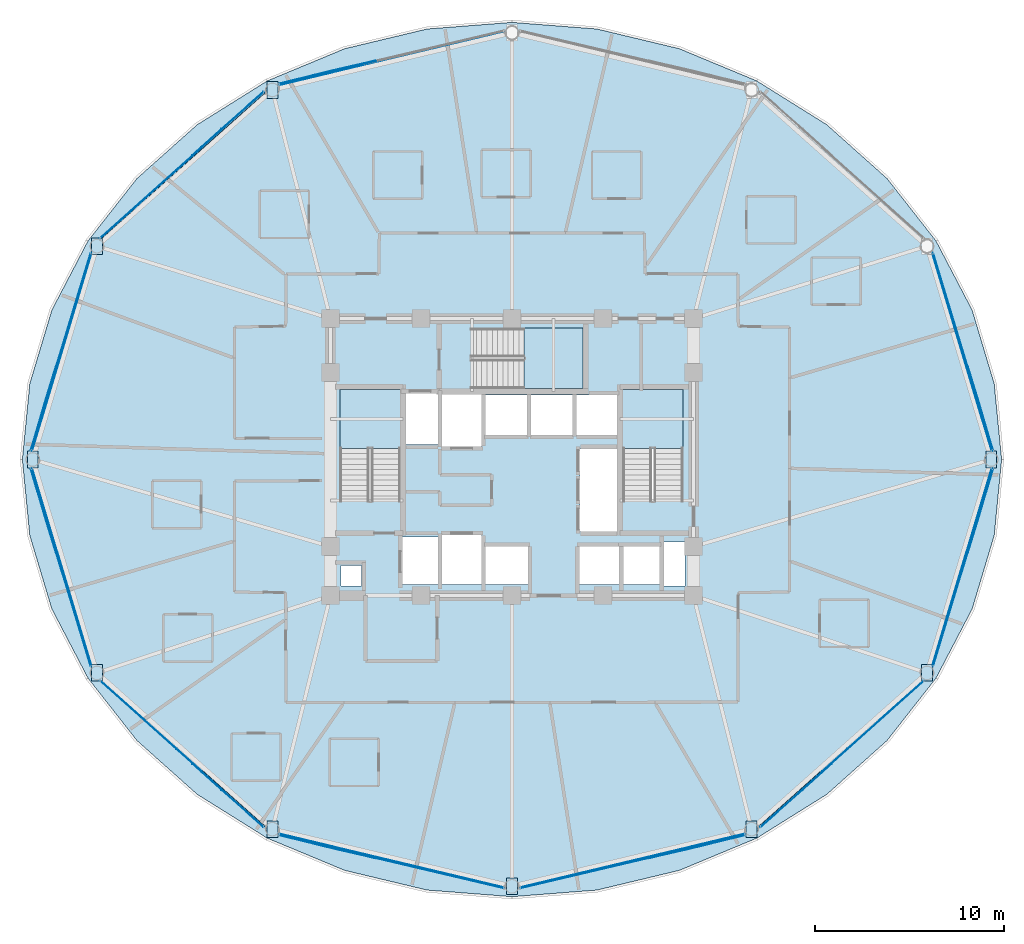
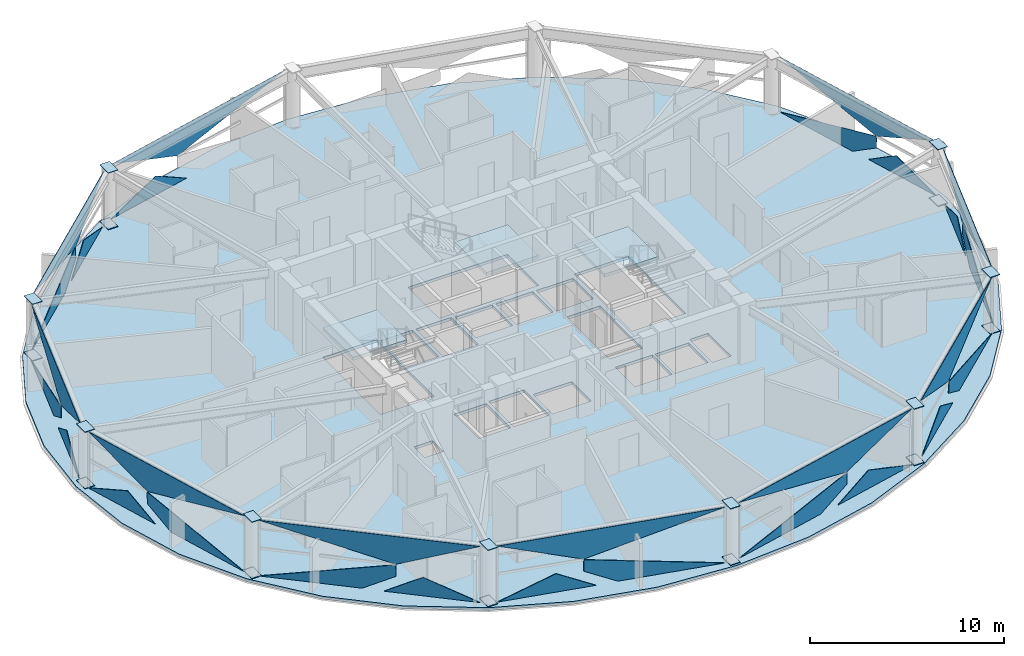
# One storey, part 22 of 31: 47 plates, 4 slabs, 13 elements without a shape of their own.
"""IFC4 building model written with IfcOpenShell, lengths in metres."""

import ifcopenshell
import ifcopenshell.guid

model = None  # the IFC model being written
_history = None  # IfcOwnerHistory: only IFC2X3 demands one
_inside = {}  # id of a spatial element -> (the spatial element, [elements in it])
_under = {}  # id of a project, library or spatial element -> (it, [spatial elements below it])
_declared = {}  # id of a project -> (the project, [libraries it declares])
_typed = {}  # id of a type object -> (the type object, [elements of that type])
_made_of = {}  # id of a material, layer set ... -> (it, [elements and type objects made of it])


def new_model(schema):
    """Start an empty IFC model of exactly this schema.

    Asked for "IFC4X3", IfcOpenShell would pick the latest addendum, in which some entities
    have other attributes; the version numbers below select the first issue.
    IFC2X3 requires an IfcOwnerHistory on every rooted entity: one is made here for all.
    """
    global model, _history
    if schema == "IFC4X3":
        model = ifcopenshell.file(schema_version=(4, 3, 0, 0))
    else:
        model = ifcopenshell.file(schema=schema)
    _inside.clear()
    _under.clear()
    _declared.clear()
    _typed.clear()
    _made_of.clear()
    _history = None
    if model.schema == "IFC2X3":
        org = make("IfcOrganization", Name="unknown")
        user = make(
            "IfcPersonAndOrganization",
            ThePerson=make("IfcPerson", FamilyName="unknown"),
            TheOrganization=org,
        )
        app = make(
            "IfcApplication",
            ApplicationDeveloper=org,
            Version="unknown",
            ApplicationFullName="unknown",
            ApplicationIdentifier="unknown",
        )
        _history = make(
            "IfcOwnerHistory",
            OwningUser=user,
            OwningApplication=app,
            ChangeAction="ADDED",
            CreationDate=0,
        )
    return model


def make(cls, **values):
    """One entity of the class cls with the attributes given. An attribute that is None is left unset."""
    return model.create_entity(
        cls, **{name: value for name, value in values.items() if value is not None}
    )


def rooted(cls, **values):
    """An entity with a GlobalId (a new one), such as an element, a storey or a relation."""
    return make(cls, GlobalId=ifcopenshell.guid.new(), OwnerHistory=_history, **values)


def si_unit(unit_type, name, prefix=None):
    """IfcSIUnit, for example si_unit("LENGTHUNIT", "METRE", prefix="MILLI")."""
    return make("IfcSIUnit", UnitType=unit_type, Prefix=prefix, Name=name)


def assignment(units):
    """IfcUnitAssignment: the units of a project."""
    return None if units is None else make("IfcUnitAssignment", Units=units)


def point(xyz):
    """IfcCartesianPoint."""
    return None if xyz is None else make("IfcCartesianPoint", Coordinates=xyz)


def direction(xyz):
    """IfcDirection."""
    return None if xyz is None else make("IfcDirection", DirectionRatios=xyz)


def frame(location, z_axis=None, x_axis=None):
    """IfcAxis2Placement3D, a coordinate frame: its origin and axes. An axis left out is left unset."""
    return make(
        "IfcAxis2Placement3D",
        Location=point(location),
        Axis=direction(z_axis),
        RefDirection=direction(x_axis),
    )


def origin():
    """The frame at (0, 0, 0) with its axes left unset."""
    return frame((0.0, 0.0, 0.0))


def place(relative_to, where):
    """IfcLocalPlacement: puts the frame where relative to a parent placement (None: the world)."""
    return make(
        "IfcLocalPlacement", PlacementRelTo=relative_to, RelativePlacement=where
    )


def context(
    kind, dimensions, precision=None, world=None, true_north=None, identifier=None
):
    """IfcGeometricRepresentationContext, for example the 3D "Model" context."""
    return make(
        "IfcGeometricRepresentationContext",
        ContextIdentifier=identifier,
        ContextType=kind,
        CoordinateSpaceDimension=dimensions,
        Precision=precision,
        WorldCoordinateSystem=world,
        TrueNorth=true_north,
    )


def subcontext(parent, identifier, kind, view, scale=None):
    """IfcGeometricRepresentationSubContext, for example "Body" below "Model"."""
    return make(
        "IfcGeometricRepresentationSubContext",
        ContextIdentifier=identifier,
        ContextType=kind,
        ParentContext=parent,
        TargetScale=scale,
        TargetView=view,
    )


def project(units=None, contexts=None):
    """IfcProject with its units and contexts."""
    return rooted(
        "IfcProject",
        Name="project",
        RepresentationContexts=contexts,
        UnitsInContext=assignment(units),
    )


def spatial(cls, under=None, at=None, **own):
    """A site, building, storey or space (cls), placed at a placement, below another one or the project."""
    s = rooted(cls, ObjectPlacement=at, **own)
    if under is not None:
        _under.setdefault(under.id(), (under, []))[1].append(s)
    return s


def polyline(points):
    """IfcPolyline through the points."""
    return make("IfcPolyline", Points=[point(p) for p in points])


def outline(outer, holes=None, kind="AREA"):
    """IfcArbitraryClosedProfileDef: a profile drawn as a closed curve; with holes, ...WithVoids."""
    if holes is None:
        return make("IfcArbitraryClosedProfileDef", ProfileType=kind, OuterCurve=outer)
    return make(
        "IfcArbitraryProfileDefWithVoids",
        ProfileType=kind,
        OuterCurve=outer,
        InnerCurves=holes,
    )


def extrude(swept, where, along, depth):
    """IfcExtrudedAreaSolid: the profile swept, set in the frame where, extruded along a direction by depth."""
    return make(
        "IfcExtrudedAreaSolid",
        SweptArea=swept,
        Position=where,
        ExtrudedDirection=direction(along),
        Depth=depth,
    )


def shape(context_of_items, identifier, shape_type, items):
    """IfcShapeRepresentation: the items that make up one representation, for example the "Body"."""
    return make(
        "IfcShapeRepresentation",
        ContextOfItems=context_of_items,
        RepresentationIdentifier=identifier,
        RepresentationType=shape_type,
        Items=items,
    )


def material(Name=None, Category=None):
    """IfcMaterial."""
    return make("IfcMaterial", Name=Name, Category=Category)


def layer(
    of_material, thickness, ventilated=None, Name=None, Category=None, Priority=None
):
    """IfcMaterialLayer: one layer of a wall or slab, of a material (None: an air gap)."""
    return make(
        "IfcMaterialLayer",
        Material=of_material,
        LayerThickness=thickness,
        IsVentilated=ventilated,
        Name=Name,
        Category=Category,
        Priority=Priority,
    )


def layer_set(layers, Name=None):
    """IfcMaterialLayerSet."""
    return make("IfcMaterialLayerSet", MaterialLayers=layers, LayerSetName=Name)


def made_of(thing, what):
    """Note that an element or type object is made of a material, layer set ...; save() writes the relation."""
    if what is not None:
        _made_of.setdefault(what.id(), (what, []))[1].append(thing)
    return thing


def type_object(cls, material=None, **own):
    """A type object (cls), such as IfcWallType, which elements share."""
    return made_of(rooted(cls, **own), material)


def element(
    cls,
    number,
    at=None,
    inside=None,
    cuts=None,
    type_object=None,
    material=None,
    context=None,
    identifier="Body",
    shape_type=None,
    held_by="IfcProductDefinitionShape",
    body=None,
    shapes=None,
    **own,
):
    """One element of the class cls, such as IfcWall. Its Tag is "e" and its number.

    at: its placement. inside: the storey or other place that contains it. cuts: it is an
    opening in that element (IfcRelVoidsElement). A single representation is given by context,
    identifier, shape_type and body (its items); several are given by shapes. held_by: the class
    of the entity that holds the representations. save() writes the other relations.
    """
    e = rooted(cls, Tag="e%d" % number, ObjectPlacement=at, **own)
    if body is not None:
        shapes = [shape(context, identifier, shape_type, body)]
    if shapes is not None:
        e.Representation = make(held_by, Representations=shapes)
    if inside is not None:
        _inside.setdefault(inside.id(), (inside, []))[1].append(e)
    if cuts is not None:
        rooted(
            "IfcRelVoidsElement", RelatingBuildingElement=cuts, RelatedOpeningElement=e
        )
    if type_object is not None:
        _typed.setdefault(type_object.id(), (type_object, []))[1].append(e)
    return made_of(e, material)


def aggregate(whole, parts):
    """IfcRelAggregates: a whole, such as a stair, and the parts it consists of."""
    return rooted("IfcRelAggregates", RelatingObject=whole, RelatedObjects=parts)


def save(model, path):
    """Write the relations noted so far, then the file.

    IfcRelAggregates (storeys below a building ...), IfcRelContainedInSpatialStructure (elements
    in a storey), IfcRelDefinesByType, IfcRelAssociatesMaterial and IfcRelDeclares: one each for
    every whole, place, type object, material and project.
    """
    for whole, parts in _under.values():
        aggregate(whole, parts)
    for where, things in _inside.values():
        rooted(
            "IfcRelContainedInSpatialStructure",
            RelatedElements=things,
            RelatingStructure=where,
        )
    for kind, things in _typed.values():
        rooted("IfcRelDefinesByType", RelatedObjects=things, RelatingType=kind)
    for what, things in _made_of.values():
        rooted("IfcRelAssociatesMaterial", RelatedObjects=things, RelatingMaterial=what)
    for by, libraries in _declared.values():
        rooted("IfcRelDeclares", RelatingContext=by, RelatedDefinitions=libraries)
    model.write(path)


model = new_model("IFC4")

# Units and contexts
model_context = context("Model", 3, precision=1e-05, world=origin(), true_north=direction((0.0, 1.0)))
body_context = subcontext(model_context, "Body", "Model", "MODEL_VIEW")
ifc_project = project(units=[si_unit("LENGTHUNIT", "METRE"), si_unit("AREAUNIT", "SQUARE_METRE"), si_unit("VOLUMEUNIT", "CUBIC_METRE"), si_unit("PLANEANGLEUNIT", "RADIAN"), si_unit("MASSUNIT", "GRAM", prefix="KILO")], contexts=[model_context])

# Site, building, storey
site_placement = place(None, origin())
site = spatial("IfcSite", under=ifc_project, at=site_placement, CompositionType="ELEMENT")
building_placement = place(site_placement, origin())
building = spatial("IfcBuilding", under=site, at=building_placement, Name="Vantalir Tower", CompositionType="ELEMENT")
storey_placement = place(building_placement, frame((0.0, 0.0, 115.949951171875)))
storey = spatial("IfcBuildingStorey", under=building, at=storey_placement, Name="L28", CompositionType="ELEMENT", Elevation=115.949951171875)

# Curtain wall, plates
ifc_material_1 = material(Name="Champagne-silver PVDF aluminium and double-silver Low-E glass", Category="aluminium")
ifc_layer_1 = layer(ifc_material_1, 0.199951171875)
ifc_layer_set_1 = layer_set([ifc_layer_1], Name="Champagne-silver PVDF aluminium and double-silver Low-E glass")
curtain_wall_type = type_object("IfcCurtainWallType", Name="CW-DIAMOND-Z2", PredefinedType="USERDEFINED", material=ifc_layer_set_1)
curtain_wall_1_placement = place(storey_placement, origin())
curtain_wall_1 = element("IfcCurtainWall", 1, at=curtain_wall_1_placement, inside=storey, type_object=curtain_wall_type, Name="L28 Quilted Pyramid-Diamond Curtain Wall S01", ObjectType="UNITISED CURTAIN WALL", PredefinedType="USERDEFINED")
ifc_material_2 = material(Name="Double-silver Low-E laminated glass IGU", Category="glass")
ifc_layer_2 = layer(ifc_material_2, 0.028076171875)
ifc_layer_set_2 = layer_set([ifc_layer_2], Name="Double-silver Low-E laminated glass IGU")
plate_type_1 = type_object("IfcPlateType", Name="CWP-IGU-28", PredefinedType="CURTAIN_PANEL", material=ifc_layer_set_2)
plate_1_placement = place(storey_placement, frame((55.218994140625, 31.025390625, 0.046630859375), z_axis=(-0.957589796019, -0.28780704186, 0.013743697314), x_axis=(-0.287834860016, 0.957680056725, -4.8074109e-05)))
plate_1 = element("IfcPlate", 2, at=plate_1_placement, type_object=plate_type_1, Name="CW-L28-S01 Pyramid Diamond Facet 1L", PredefinedType="CURTAIN_PANEL", context=body_context, shape_type="SweptSolid", body=[
    extrude(outline(polyline([(0.0, 0.0), (5.134333162365429, -5.502326025363935e-18), (-1.6650199856379875, -1.7266455377053769), (-1.6649798258321409, -0.9990350662970237), (0.0, 0.0)])), origin(), (0.0, 0.0, -1.0), 0.028076171875),
])
plate_2_placement = place(storey_placement, frame((56.9296875, 25.44482421875, 0.04638671875), z_axis=(-0.957584808562, -0.287827029276, 0.013672440526), x_axis=(-0.287854611241, 0.957674120002, -5.1623854e-05)))
plate_2 = element("IfcPlate", 3, at=plate_2_placement, type_object=plate_type_1, Name="CW-L28-S01 Pyramid Diamond Facet 1L Infill Light", PredefinedType="CURTAIN_PANEL", context=body_context, shape_type="SweptSolid", body=[
    extrude(outline(polyline([(0.0, 0.0), (4.729221182633598, 8.131516293641283e-19), (2.7989082762255024, -1.1584559003791695), (0.0, 0.0)])), origin(), (0.0, 0.0, -1.0), 0.028076171875),
])
plate_3_placement = place(storey_placement, frame((53.740966796875, 35.9423828125, 3.523681640625), z_axis=(0.957581456483, 0.287834835449, 0.013742696341), x_axis=(0.287862312613, -0.957671806248, -2.2252807e-05)))
plate_3 = element("IfcPlate", 4, at=plate_3_placement, type_object=plate_type_1, Name="CW-L28-S01 Pyramid Diamond Facet 2U", PredefinedType="CURTAIN_PANEL", context=body_context, shape_type="SweptSolid", body=[
    extrude(outline(polyline([(0.0, 0.0), (10.971228210911756, -1.1953328951652686e-17), (6.799309248841789, 1.7268184099679815), (0.0, 0.0)])), origin(), (0.0, 0.0, -1.0), 0.028076171875),
])
aggregate(curtain_wall_1, [plate_1, plate_2, plate_3])

curtain_wall_2_placement = place(storey_placement, origin())
curtain_wall_2 = element("IfcCurtainWall", 5, at=curtain_wall_2_placement, inside=storey, type_object=curtain_wall_type, Name="L28 Quilted Pyramid-Diamond Curtain Wall S04", ObjectType="UNITISED CURTAIN WALL", PredefinedType="USERDEFINED")
plate_4_placement = place(storey_placement, frame((24.31298828125, 46.072265625, 0.046142578125), z_axis=(0.232309962933, -0.972544053885, 0.013789284797), x_axis=(-0.972636528964, -0.2323320523, 0.0)))
plate_4 = element("IfcPlate", 6, at=plate_4_placement, type_object=plate_type_1, Name="CW-L28-S04 Pyramid Diamond Facet 1L Infill Light", PredefinedType="CURTAIN_PANEL", context=body_context, shape_type="SweptSolid", body=[
    extrude(outline(polyline([(0.0, 0.0), (5.287757814042398, 0.0), (2.1490608653627548, -1.1671031518248731), (0.0, 0.0)])), origin(), (0.0, 0.0, -1.0), 0.028076171875),
])
plate_5_placement = place(storey_placement, frame((19.177490234375, 44.812744140625, 3.5234375), z_axis=(-0.232299697518, 0.972547696452, 0.013705059649), x_axis=(0.972639108939, 0.232321250348, 1.9988062e-05)))
plate_5 = element("IfcPlate", 7, at=plate_5_placement, type_object=plate_type_1, Name="CW-L28-S04 Pyramid Diamond Facet 2U", PredefinedType="CURTAIN_PANEL", context=body_context, shape_type="SweptSolid", body=[
    extrude(outline(polyline([(0.0, 0.0), (12.214321677942559, -1.3552527156068805e-18), (4.644506860550384, 1.727305842677403), (0.0, 0.0)])), origin(), (0.0, 0.0, -1.0), 0.028076171875),
])
aggregate(curtain_wall_2, [plate_4, plate_5])

curtain_wall_3_placement = place(storey_placement, origin())
curtain_wall_3 = element("IfcCurtainWall", 8, at=curtain_wall_3_placement, inside=storey, type_object=curtain_wall_type, Name="L28 Quilted Pyramid-Diamond Curtain Wall S05", ObjectType="UNITISED CURTAIN WALL", PredefinedType="USERDEFINED")
plate_6_placement = place(storey_placement, frame((13.77685546875, 40.2880859375, 0.046630859375), z_axis=(0.665290143646, -0.746458857155, 0.013718576517), x_axis=(-0.746528694055, -0.66535321965, -4.5328392e-05)))
plate_6 = element("IfcPlate", 9, at=plate_6_placement, type_object=plate_type_1, Name="CW-L28-S05 Pyramid Diamond Facet 1L", PredefinedType="CURTAIN_PANEL", context=body_context, shape_type="SweptSolid", body=[
    extrude(outline(polyline([(0.0, 0.0), (5.421682594949286, 1.328147661294743e-17), (-1.768537932269547, -1.7268889847502915), (-1.768390497592363, -1.0039189500942471), (0.0, 0.0)])), origin(), (0.0, 0.0, -1.0), 0.028076171875),
])
plate_7_placement = place(storey_placement, frame((18.3740234375, 44.42822265625, 0.046142578125), z_axis=(0.665294675224, -0.746455386297, 0.013687636298), x_axis=(-0.74652532085, -0.665357005923, 0.0)))
plate_7 = element("IfcPlate", 10, at=plate_7_placement, type_object=plate_type_1, Name="CW-L28-S05 Pyramid Diamond Facet 1L Infill Light", PredefinedType="CURTAIN_PANEL", context=body_context, shape_type="SweptSolid", body=[
    extrude(outline(polyline([(0.0, 0.0), (5.032102317172002, 0.0), (2.980130113894724, -1.1649040501815868), (0.0, 0.0)])), origin(), (0.0, 0.0, -1.0), 0.028076171875),
])
plate_8_placement = place(storey_placement, frame((9.7294921875, 36.6806640625, 3.523681640625), z_axis=(-0.66529752374, 0.746451806469, 0.013744290602), x_axis=(0.746522128378, 0.665360587501, -2.1031755e-05)))
plate_8 = element("IfcPlate", 11, at=plate_8_placement, type_object=plate_type_1, Name="CW-L28-S05 Pyramid Diamond Facet 2U", PredefinedType="CURTAIN_PANEL", context=body_context, shape_type="SweptSolid", body=[
    extrude(outline(polyline([(0.0, 0.0), (11.60819104345454, -4.472333961502706e-18), (7.190178806097466, 1.7270626931022792), (0.0, 0.0)])), origin(), (0.0, 0.0, -1.0), 0.028076171875),
])
aggregate(curtain_wall_3, [plate_6, plate_7, plate_8])

curtain_wall_4_placement = place(storey_placement, origin())
curtain_wall_4 = element("IfcCurtainWall", 12, at=curtain_wall_4_placement, inside=storey, type_object=curtain_wall_type, Name="L28 Quilted Pyramid-Diamond Curtain Wall S06", ObjectType="UNITISED CURTAIN WALL", PredefinedType="USERDEFINED")
plate_9_placement = place(storey_placement, frame((9.259033203125, 35.9423828125, 0.04638671875), z_axis=(0.957589796019, -0.28780704186, 0.013743697314), x_axis=(-0.287834860016, -0.957680056725, 4.8074109e-05)))
plate_9 = element("IfcPlate", 13, at=plate_9_placement, type_object=plate_type_1, Name="CW-L28-S06 Pyramid Diamond Facet 1L", PredefinedType="CURTAIN_PANEL", context=body_context, shape_type="SweptSolid", body=[
    extrude(outline(polyline([(0.0, 0.0), (5.134333162365429, 5.502326025363935e-18), (6.7993129881975705, -0.9990350662970238), (6.799353148003417, -1.7266455377053767), (0.0, 0.0)])), origin(), (0.0, 0.0, -1.0), 0.028076171875),
])
plate_10_placement = place(storey_placement, frame((7.431640625, 29.973876953125, 0.046142578125), z_axis=(0.957584808562, -0.287827029276, 0.013672440526), x_axis=(-0.287854611241, -0.957674120002, 5.1623854e-05)))
plate_10 = element("IfcPlate", 14, at=plate_10_placement, type_object=plate_type_1, Name="CW-L28-S06 Pyramid Diamond Facet 1L Infill Light", PredefinedType="CURTAIN_PANEL", context=body_context, shape_type="SweptSolid", body=[
    extrude(outline(polyline([(0.0, 0.0), (4.729221182633598, -8.131516293641283e-19), (1.9303129064080957, -1.1584559003791697), (0.0, 0.0)])), origin(), (0.0, 0.0, -1.0), 0.028076171875),
])
plate_11_placement = place(storey_placement, frame((6.100830078125, 25.435546875, 3.5234375), z_axis=(-0.957581456483, 0.287834835449, 0.013742696341), x_axis=(0.287862312613, 0.957671806248, 2.2252807e-05)))
plate_11 = element("IfcPlate", 15, at=plate_11_placement, type_object=plate_type_1, Name="CW-L28-S06 Pyramid Diamond Facet 2U", PredefinedType="CURTAIN_PANEL", context=body_context, shape_type="SweptSolid", body=[
    extrude(outline(polyline([(0.0, 0.0), (10.971228210911756, 1.1953328951652686e-17), (4.171918962069965, 1.7268184099679813), (0.0, 0.0)])), origin(), (0.0, 0.0, -1.0), 0.028076171875),
])
aggregate(curtain_wall_4, [plate_9, plate_10, plate_11])

curtain_wall_5_placement = place(storey_placement, origin())
curtain_wall_5 = element("IfcCurtainWall", 16, at=curtain_wall_5_placement, inside=storey, type_object=curtain_wall_type, Name="L28 Quilted Pyramid-Diamond Curtain Wall S07", ObjectType="UNITISED CURTAIN WALL", PredefinedType="USERDEFINED")
plate_12_placement = place(storey_placement, frame((7.781005859375, 18.974609375, 0.046630859375), z_axis=(0.957589796019, 0.28780704186, 0.013743697314), x_axis=(0.287834860016, -0.957680056725, -4.8074109e-05)))
plate_12 = element("IfcPlate", 17, at=plate_12_placement, type_object=plate_type_1, Name="CW-L28-S07 Pyramid Diamond Facet 1L", PredefinedType="CURTAIN_PANEL", context=body_context, shape_type="SweptSolid", body=[
    extrude(outline(polyline([(0.0, 0.0), (5.134333162365429, -5.502326025363935e-18), (-1.6650199856379875, -1.7266455377053769), (-1.6649798258321409, -0.9990350662970237), (0.0, 0.0)])), origin(), (0.0, 0.0, -1.0), 0.028076171875),
])
plate_13_placement = place(storey_placement, frame((6.0703125, 24.55517578125, 0.04638671875), z_axis=(0.957584808562, 0.287827029276, 0.013672440526), x_axis=(0.287854611241, -0.957674120002, -5.1623854e-05)))
plate_13 = element("IfcPlate", 18, at=plate_13_placement, type_object=plate_type_1, Name="CW-L28-S07 Pyramid Diamond Facet 1L Infill Light", PredefinedType="CURTAIN_PANEL", context=body_context, shape_type="SweptSolid", body=[
    extrude(outline(polyline([(0.0, 0.0), (4.729221182633598, 8.131516293641283e-19), (2.7989082762255024, -1.1584559003791695), (0.0, 0.0)])), origin(), (0.0, 0.0, -1.0), 0.028076171875),
])
plate_14_placement = place(storey_placement, frame((9.259033203125, 14.0576171875, 3.523681640625), z_axis=(-0.957581456483, -0.287834835449, 0.013742696341), x_axis=(-0.287862312613, 0.957671806248, -2.2252807e-05)))
plate_14 = element("IfcPlate", 19, at=plate_14_placement, type_object=plate_type_1, Name="CW-L28-S07 Pyramid Diamond Facet 2U", PredefinedType="CURTAIN_PANEL", context=body_context, shape_type="SweptSolid", body=[
    extrude(outline(polyline([(0.0, 0.0), (10.971228210911756, -1.1953328951652686e-17), (6.799309248841789, 1.7268184099679815), (0.0, 0.0)])), origin(), (0.0, 0.0, -1.0), 0.028076171875),
])
aggregate(curtain_wall_5, [plate_12, plate_13, plate_14])

curtain_wall_6_placement = place(storey_placement, origin())
curtain_wall_6 = element("IfcCurtainWall", 20, at=curtain_wall_6_placement, inside=storey, type_object=curtain_wall_type, Name="L28 Quilted Pyramid-Diamond Curtain Wall S08", ObjectType="UNITISED CURTAIN WALL", PredefinedType="USERDEFINED")
plate_15_placement = place(storey_placement, frame((9.7294921875, 13.3193359375, 0.04638671875), z_axis=(0.665290143646, 0.746458857155, 0.013718576517), x_axis=(0.746528694055, -0.66535321965, 4.5328392e-05)))
plate_15 = element("IfcPlate", 21, at=plate_15_placement, type_object=plate_type_1, Name="CW-L28-S08 Pyramid Diamond Facet 1L", PredefinedType="CURTAIN_PANEL", context=body_context, shape_type="SweptSolid", body=[
    extrude(outline(polyline([(0.0, 0.0), (5.421682594949286, -1.328147661294743e-17), (7.190073092541649, -1.0039189500942471), (7.190220527218833, -1.7268889847502913), (0.0, 0.0)])), origin(), (0.0, 0.0, -1.0), 0.028076171875),
])
plate_16_placement = place(storey_placement, frame((14.617431640625, 8.919921875, 0.046142578125), z_axis=(0.665294675224, 0.746455386297, 0.013687636298), x_axis=(0.74652532085, -0.665357005923, 0.0)))
plate_16 = element("IfcPlate", 22, at=plate_16_placement, type_object=plate_type_1, Name="CW-L28-S08 Pyramid Diamond Facet 1L Infill Light", PredefinedType="CURTAIN_PANEL", context=body_context, shape_type="SweptSolid", body=[
    extrude(outline(polyline([(0.0, 0.0), (5.032102317172002, 0.0), (2.051972203277278, -1.1649040501815868), (0.0, 0.0)])), origin(), (0.0, 0.0, -1.0), 0.028076171875),
])
plate_17_placement = place(storey_placement, frame((18.395263671875, 5.595703125, 3.5234375), z_axis=(-0.66529752374, -0.746451806469, 0.013744290602), x_axis=(-0.746522128378, 0.665360587501, 2.1031755e-05)))
plate_17 = element("IfcPlate", 23, at=plate_17_placement, type_object=plate_type_1, Name="CW-L28-S08 Pyramid Diamond Facet 2U", PredefinedType="CURTAIN_PANEL", context=body_context, shape_type="SweptSolid", body=[
    extrude(outline(polyline([(0.0, 0.0), (11.60819104345454, 4.472333961502706e-18), (4.418012237357074, 1.727062693102279), (0.0, 0.0)])), origin(), (0.0, 0.0, -1.0), 0.028076171875),
])
aggregate(curtain_wall_6, [plate_15, plate_16, plate_17])

curtain_wall_7_placement = place(storey_placement, origin())
curtain_wall_7 = element("IfcCurtainWall", 24, at=curtain_wall_7_placement, inside=storey, type_object=curtain_wall_type, Name="L28 Quilted Pyramid-Diamond Curtain Wall S09", ObjectType="UNITISED CURTAIN WALL", PredefinedType="USERDEFINED")
plate_18_placement = place(storey_placement, frame((25.4814453125, 3.681640625, 0.04638671875), z_axis=(0.232319339622, 0.972541707156, 0.013796821329), x_axis=(0.972634283112, -0.232341454147, 8.13e-09)))
plate_18 = element("IfcPlate", 25, at=plate_18_placement, type_object=plate_type_1, Name="CW-L28-S09 Pyramid Diamond Facet 1L", PredefinedType="CURTAIN_PANEL", context=body_context, shape_type="SweptSolid", body=[
    extrude(outline(polyline([(0.0, 0.0), (5.73306201174435, 0.0), (-1.8367177744698786, -1.7274593575446844), (-1.8366121444979258, -0.9976536126287018), (0.0, 0.0)])), origin(), (0.0, 0.0, -1.0), 0.028076171875),
])
plate_19_placement = place(storey_placement, frame((19.169921875, 5.15625, 0.046142578125), z_axis=(0.232309962933, 0.972544053885, 0.013789284797), x_axis=(0.972636528964, -0.2323320523, 0.0)))
plate_19 = element("IfcPlate", 26, at=plate_19_placement, type_object=plate_type_1, Name="CW-L28-S09 Pyramid Diamond Facet 1L Infill Light", PredefinedType="CURTAIN_PANEL", context=body_context, shape_type="SweptSolid", body=[
    extrude(outline(polyline([(0.0, 0.0), (5.287757814042398, 0.0), (3.1386969486796428, -1.1671031518248731), (0.0, 0.0)])), origin(), (0.0, 0.0, -1.0), 0.028076171875),
])
plate_20_placement = place(storey_placement, frame((31.0576171875, 2.349609375, 3.523681640625), z_axis=(-0.232299697518, -0.972547696452, 0.013705059649), x_axis=(-0.972639108939, 0.232321250348, -1.9988062e-05)))
plate_20 = element("IfcPlate", 27, at=plate_20_placement, type_object=plate_type_1, Name="CW-L28-S09 Pyramid Diamond Facet 2U", PredefinedType="CURTAIN_PANEL", context=body_context, shape_type="SweptSolid", body=[
    extrude(outline(polyline([(0.0, 0.0), (12.214321677942559, 1.3552527156068805e-18), (7.569814817392175, 1.727305842677403), (0.0, 0.0)])), origin(), (0.0, 0.0, -1.0), 0.028076171875),
])
aggregate(curtain_wall_7, [plate_18, plate_19, plate_20])

curtain_wall_8_placement = place(storey_placement, origin())
curtain_wall_8 = element("IfcCurtainWall", 28, at=curtain_wall_8_placement, inside=storey, type_object=curtain_wall_type, Name="L28 Quilted Pyramid-Diamond Curtain Wall S10", ObjectType="UNITISED CURTAIN WALL", PredefinedType="USERDEFINED")
plate_21_placement = place(storey_placement, frame((31.9423828125, 2.349609375, 0.04638671875), z_axis=(-0.232319339622, 0.972541707156, 0.013796821329), x_axis=(0.972634283112, 0.232341454147, -8.13e-09)))
plate_21 = element("IfcPlate", 29, at=plate_21_placement, type_object=plate_type_1, Name="CW-L28-S10 Pyramid Diamond Facet 1L", PredefinedType="CURTAIN_PANEL", context=body_context, shape_type="SweptSolid", body=[
    extrude(outline(polyline([(0.0, 0.0), (5.73306201174435, 0.0), (7.569674156242275, -0.9976536126287018), (7.569779786214228, -1.7274593575446844), (0.0, 0.0)])), origin(), (0.0, 0.0, -1.0), 0.028076171875),
])
plate_22_placement = place(storey_placement, frame((38.68701171875, 3.927734375, 0.046142578125), z_axis=(-0.232309962933, 0.972544053885, 0.013789284797), x_axis=(0.972636528964, 0.2323320523, 0.0)))
plate_22 = element("IfcPlate", 30, at=plate_22_placement, type_object=plate_type_1, Name="CW-L28-S10 Pyramid Diamond Facet 1L Infill Light", PredefinedType="CURTAIN_PANEL", context=body_context, shape_type="SweptSolid", body=[
    extrude(outline(polyline([(0.0, 0.0), (5.287757814042398, 0.0), (2.1490608653627548, -1.1671031518248731), (0.0, 0.0)])), origin(), (0.0, 0.0, -1.0), 0.028076171875),
])
plate_23_placement = place(storey_placement, frame((43.822509765625, 5.187255859375, 3.5234375), z_axis=(0.232299697518, -0.972547696452, 0.013705059649), x_axis=(-0.972639108939, -0.232321250348, 1.9988062e-05)))
plate_23 = element("IfcPlate", 31, at=plate_23_placement, type_object=plate_type_1, Name="CW-L28-S10 Pyramid Diamond Facet 2U", PredefinedType="CURTAIN_PANEL", context=body_context, shape_type="SweptSolid", body=[
    extrude(outline(polyline([(0.0, 0.0), (12.214321677942559, -1.3552527156068805e-18), (4.644506860550384, 1.727305842677403), (0.0, 0.0)])), origin(), (0.0, 0.0, -1.0), 0.028076171875),
])
aggregate(curtain_wall_8, [plate_21, plate_22, plate_23])

curtain_wall_9_placement = place(storey_placement, origin())
curtain_wall_9 = element("IfcCurtainWall", 32, at=curtain_wall_9_placement, inside=storey, type_object=curtain_wall_type, Name="L28 Quilted Pyramid-Diamond Curtain Wall S11", ObjectType="UNITISED CURTAIN WALL", PredefinedType="USERDEFINED")
plate_24_placement = place(storey_placement, frame((49.22314453125, 9.7119140625, 0.046630859375), z_axis=(-0.665290143646, 0.746458857155, 0.013718576517), x_axis=(0.746528694055, 0.66535321965, -4.5328392e-05)))
plate_24 = element("IfcPlate", 33, at=plate_24_placement, type_object=plate_type_1, Name="CW-L28-S11 Pyramid Diamond Facet 1L", PredefinedType="CURTAIN_PANEL", context=body_context, shape_type="SweptSolid", body=[
    extrude(outline(polyline([(0.0, 0.0), (5.421682594949286, 1.328147661294743e-17), (-1.768537932269547, -1.7268889847502915), (-1.768390497592363, -1.0039189500942471), (0.0, 0.0)])), origin(), (0.0, 0.0, -1.0), 0.028076171875),
])
plate_25_placement = place(storey_placement, frame((44.6259765625, 5.57177734375, 0.046142578125), z_axis=(-0.665294675224, 0.746455386297, 0.013687636298), x_axis=(0.74652532085, 0.665357005923, 0.0)))
plate_25 = element("IfcPlate", 34, at=plate_25_placement, type_object=plate_type_1, Name="CW-L28-S11 Pyramid Diamond Facet 1L Infill Light", PredefinedType="CURTAIN_PANEL", context=body_context, shape_type="SweptSolid", body=[
    extrude(outline(polyline([(0.0, 0.0), (5.032102317172002, 0.0), (2.980130113894724, -1.1649040501815868), (0.0, 0.0)])), origin(), (0.0, 0.0, -1.0), 0.028076171875),
])
plate_26_placement = place(storey_placement, frame((53.2705078125, 13.3193359375, 3.523681640625), z_axis=(0.66529752374, -0.746451806469, 0.013744290602), x_axis=(-0.746522128378, -0.665360587501, -2.1031755e-05)))
plate_26 = element("IfcPlate", 35, at=plate_26_placement, type_object=plate_type_1, Name="CW-L28-S11 Pyramid Diamond Facet 2U", PredefinedType="CURTAIN_PANEL", context=body_context, shape_type="SweptSolid", body=[
    extrude(outline(polyline([(0.0, 0.0), (11.60819104345454, -4.472333961502706e-18), (7.190178806097466, 1.7270626931022792), (0.0, 0.0)])), origin(), (0.0, 0.0, -1.0), 0.028076171875),
])
aggregate(curtain_wall_9, [plate_24, plate_25, plate_26])

curtain_wall_10_placement = place(storey_placement, origin())
curtain_wall_10 = element("IfcCurtainWall", 36, at=curtain_wall_10_placement, inside=storey, type_object=curtain_wall_type, Name="L28 Quilted Pyramid-Diamond Curtain Wall S12", ObjectType="UNITISED CURTAIN WALL", PredefinedType="USERDEFINED")
plate_27_placement = place(storey_placement, frame((53.740966796875, 14.0576171875, 0.04638671875), z_axis=(-0.957589796019, 0.28780704186, 0.013743697314), x_axis=(0.287834860016, 0.957680056725, 4.8074109e-05)))
plate_27 = element("IfcPlate", 37, at=plate_27_placement, type_object=plate_type_1, Name="CW-L28-S12 Pyramid Diamond Facet 1L", PredefinedType="CURTAIN_PANEL", context=body_context, shape_type="SweptSolid", body=[
    extrude(outline(polyline([(0.0, 0.0), (5.134333162365429, 5.502326025363935e-18), (6.7993129881975705, -0.9990350662970238), (6.799353148003417, -1.7266455377053767), (0.0, 0.0)])), origin(), (0.0, 0.0, -1.0), 0.028076171875),
])
plate_28_placement = place(storey_placement, frame((55.568359375, 20.026123046875, 0.046142578125), z_axis=(-0.957584808562, 0.287827029276, 0.013672440526), x_axis=(0.287854611241, 0.957674120002, 5.1623854e-05)))
plate_28 = element("IfcPlate", 38, at=plate_28_placement, type_object=plate_type_1, Name="CW-L28-S12 Pyramid Diamond Facet 1L Infill Light", PredefinedType="CURTAIN_PANEL", context=body_context, shape_type="SweptSolid", body=[
    extrude(outline(polyline([(0.0, 0.0), (4.729221182633598, -8.131516293641283e-19), (1.9303129064080957, -1.1584559003791697), (0.0, 0.0)])), origin(), (0.0, 0.0, -1.0), 0.028076171875),
])
plate_29_placement = place(storey_placement, frame((56.899169921875, 24.564453125, 3.5234375), z_axis=(0.957581456483, -0.287834835449, 0.013742696341), x_axis=(-0.287862312613, -0.957671806248, 2.2252807e-05)))
plate_29 = element("IfcPlate", 39, at=plate_29_placement, type_object=plate_type_1, Name="CW-L28-S12 Pyramid Diamond Facet 2U", PredefinedType="CURTAIN_PANEL", context=body_context, shape_type="SweptSolid", body=[
    extrude(outline(polyline([(0.0, 0.0), (10.971228210911756, 1.1953328951652686e-17), (4.171918962069965, 1.7268184099679813), (0.0, 0.0)])), origin(), (0.0, 0.0, -1.0), 0.028076171875),
])
aggregate(curtain_wall_10, [plate_27, plate_28, plate_29])

# Plates
ifc_material_3 = material(Name="Steel S460", Category="steel")
ifc_layer_3 = layer(ifc_material_3, 0.035888671875)
ifc_layer_set_3 = layer_set([ifc_layer_3], Name="Steel S460")
plate_type_2 = type_object("IfcPlateType", Name="PLT-KN-Z2", PredefinedType="USERDEFINED", material=ifc_layer_set_3)
for number, where, z_axis, x_axis, name in (
    (40, (56.550048828125, 25.43994140625, 3.59814453125), (0.0, 0.0, 1.0), (0.0, -1.0, 0.0), "L28 Ring Column Top Cap RC01"),
    (41, (56.550048828125, 25.43994140625, 0.052978515625), (0.0, 0.0, 1.0), (0.0, -1.0, 0.0), "L28 Ring Column Base Cap RC01"),
):
    element("IfcPlate", number, at=place(storey_placement, frame(where, z_axis=z_axis, x_axis=x_axis)), inside=storey, type_object=plate_type_2, Name=name, ObjectType="FLANGE_PLATE", PredefinedType="USERDEFINED", context=body_context, shape_type="SweptSolid", body=[
        extrude(outline(polyline([(0.0, 0.0), (0.8798828125, 0.0), (0.8798828125, 0.579833984375), (0.0, 0.579833984375), (0.0, 0.0)])), origin(), (0.0, 0.0, -1.0), 0.035888671875),
    ])
for number, where, z_axis, x_axis, name in (
    (42, (18.5400390625, 44.98291015625, 3.59814453125), (0.0, 0.0, 1.0), (0.0, -1.0, 0.0), "L28 Ring Column Top Cap RC05"),
    (43, (18.5400390625, 44.98291015625, 0.052978515625), (0.0, 0.0, 1.0), (0.0, -1.0, 0.0), "L28 Ring Column Base Cap RC05"),
    (44, (9.264892578125, 36.722900390625, 3.59814453125), (0.0, 0.0, 1.0), (0.0, -1.0, 0.0), "L28 Ring Column Top Cap RC06"),
    (45, (9.264892578125, 36.722900390625, 0.052978515625), (0.0, 0.0, 1.0), (0.0, -1.0, 0.0), "L28 Ring Column Base Cap RC06"),
):
    element("IfcPlate", number, at=place(storey_placement, frame(where, z_axis=z_axis, x_axis=x_axis)), inside=storey, type_object=plate_type_2, Name=name, ObjectType="FLANGE_PLATE", PredefinedType="USERDEFINED", context=body_context, shape_type="SweptSolid", body=[
        extrude(outline(polyline([(0.0, 0.0), (0.8798828125, 0.0), (0.8798828125, 0.580078125), (0.0, 0.580078125), (0.0, 0.0)])), origin(), (0.0, 0.0, -1.0), 0.035888671875),
    ])
for number, where, z_axis, x_axis, name in (
    (46, (5.8701171875, 25.43994140625, 3.59814453125), (0.0, 0.0, 1.0), (0.0, -1.0, 0.0), "L28 Ring Column Top Cap RC07"),
    (47, (5.8701171875, 25.43994140625, 0.052978515625), (0.0, 0.0, 1.0), (0.0, -1.0, 0.0), "L28 Ring Column Base Cap RC07"),
):
    element("IfcPlate", number, at=place(storey_placement, frame(where, z_axis=z_axis, x_axis=x_axis)), inside=storey, type_object=plate_type_2, Name=name, ObjectType="FLANGE_PLATE", PredefinedType="USERDEFINED", context=body_context, shape_type="SweptSolid", body=[
        extrude(outline(polyline([(0.0, 0.0), (0.8798828125, 0.0), (0.8798828125, 0.579833984375), (0.0, 0.579833984375), (0.0, 0.0)])), origin(), (0.0, 0.0, -1.0), 0.035888671875),
    ])
for number, where, z_axis, x_axis, name in (
    (48, (9.264892578125, 14.156982421875, 3.59814453125), (0.0, 0.0, 1.0), (0.0, -1.0, 0.0), "L28 Ring Column Top Cap RC08"),
    (49, (9.264892578125, 14.156982421875, 0.052978515625), (0.0, 0.0, 1.0), (0.0, -1.0, 0.0), "L28 Ring Column Base Cap RC08"),
    (50, (18.5400390625, 5.89697265625, 3.59814453125), (0.0, 0.0, 1.0), (0.0, -1.0, 0.0), "L28 Ring Column Top Cap RC09"),
    (51, (18.5400390625, 5.89697265625, 0.052978515625), (0.0, 0.0, 1.0), (0.0, -1.0, 0.0), "L28 Ring Column Base Cap RC09"),
):
    element("IfcPlate", number, at=place(storey_placement, frame(where, z_axis=z_axis, x_axis=x_axis)), inside=storey, type_object=plate_type_2, Name=name, ObjectType="FLANGE_PLATE", PredefinedType="USERDEFINED", context=body_context, shape_type="SweptSolid", body=[
        extrude(outline(polyline([(0.0, 0.0), (0.8798828125, 0.0), (0.8798828125, 0.580078125), (0.0, 0.580078125), (0.0, 0.0)])), origin(), (0.0, 0.0, -1.0), 0.035888671875),
    ])
for number, where, z_axis, x_axis, name in (
    (52, (31.2099609375, 2.8740234375, 3.59814453125), (0.0, 0.0, 1.0), (0.0, -1.0, 0.0), "L28 Ring Column Top Cap RC10"),
    (53, (31.2099609375, 2.8740234375, 0.052978515625), (0.0, 0.0, 1.0), (0.0, -1.0, 0.0), "L28 Ring Column Base Cap RC10"),
):
    element("IfcPlate", number, at=place(storey_placement, frame(where, z_axis=z_axis, x_axis=x_axis)), inside=storey, type_object=plate_type_2, Name=name, ObjectType="FLANGE_PLATE", PredefinedType="USERDEFINED", context=body_context, shape_type="SweptSolid", body=[
        extrude(outline(polyline([(0.0, 0.0), (0.880126953125, 0.0), (0.880126953125, 0.580078125), (0.0, 0.580078125), (0.0, 0.0)])), origin(), (0.0, 0.0, -1.0), 0.035888671875),
    ])
for number, where, z_axis, x_axis, name in (
    (54, (43.8798828125, 5.89697265625, 3.59814453125), (0.0, 0.0, 1.0), (0.0, -1.0, 0.0), "L28 Ring Column Top Cap RC11"),
    (55, (43.8798828125, 5.89697265625, 0.052978515625), (0.0, 0.0, 1.0), (0.0, -1.0, 0.0), "L28 Ring Column Base Cap RC11"),
    (56, (53.155029296875, 14.156982421875, 3.59814453125), (0.0, 0.0, 1.0), (0.0, -1.0, 0.0), "L28 Ring Column Top Cap RC12"),
    (57, (53.155029296875, 14.156982421875, 0.052978515625), (0.0, 0.0, 1.0), (0.0, -1.0, 0.0), "L28 Ring Column Base Cap RC12"),
):
    element("IfcPlate", number, at=place(storey_placement, frame(where, z_axis=z_axis, x_axis=x_axis)), inside=storey, type_object=plate_type_2, Name=name, ObjectType="FLANGE_PLATE", PredefinedType="USERDEFINED", context=body_context, shape_type="SweptSolid", body=[
        extrude(outline(polyline([(0.0, 0.0), (0.8798828125, 0.0), (0.8798828125, 0.580078125), (0.0, 0.580078125), (0.0, 0.0)])), origin(), (0.0, 0.0, -1.0), 0.035888671875),
    ])

# Stair, slab
ifc_material_4 = material(Name="Concrete C40/50", Category="concrete")
stair_type = type_object("IfcStairType", Name="STR-CORE-1450", PredefinedType="HALF_TURN_STAIR", material=ifc_material_4)
stair_1_placement = place(storey_placement, origin())
stair_1 = element("IfcStair", 58, at=stair_1_placement, inside=storey, type_object=stair_type, Name="L28 Core Exit Stair 1", PredefinedType="HALF_TURN_STAIR")
ifc_layer_4 = layer(ifc_material_4, 0.199951171875)
ifc_layer_set_4 = layer_set([ifc_layer_4], Name="Concrete C40/50")
slab_type_1 = type_object("IfcSlabType", Name="SL-LAND-200", PredefinedType="LANDING", material=ifc_layer_set_4)
slab_1_placement = place(storey_placement, frame((0.0, 0.0, 1.675048828125)))
slab_1 = element("IfcSlab", 59, at=slab_1_placement, type_object=slab_type_1, Name="ST1 landing 1", PredefinedType="LANDING", context=body_context, shape_type="SweptSolid", body=[
    extrude(outline(polyline([(25.60009765625, 25.590087890625), (25.60009765625, 28.699951171875), (22.39990234375, 28.699951171875), (22.39990234375, 25.590087890625), (25.60009765625, 25.590087890625)])), origin(), (0.0, 0.0, 1.0), 0.199951171875),
])
aggregate(stair_1, [slab_1])

stair_2_placement = place(storey_placement, origin())
stair_2 = element("IfcStair", 60, at=stair_2_placement, inside=storey, type_object=stair_type, Name="L28 Core Exit Stair 2", PredefinedType="HALF_TURN_STAIR")
slab_2_placement = place(storey_placement, frame((0.0, 0.0, 1.675048828125)))
slab_2 = element("IfcSlab", 61, at=slab_2_placement, type_object=slab_type_1, Name="ST2 landing 1", PredefinedType="LANDING", context=body_context, shape_type="SweptSolid", body=[
    extrude(outline(polyline([(40.550048828125, 25.590087890625), (40.550048828125, 28.699951171875), (37.35009765625, 28.699951171875), (37.35009765625, 25.590087890625), (40.550048828125, 25.590087890625)])), origin(), (0.0, 0.0, 1.0), 0.199951171875),
])
aggregate(stair_2, [slab_2])

stair_3_placement = place(storey_placement, origin())
stair_3 = element("IfcStair", 62, at=stair_3_placement, inside=storey, type_object=stair_type, Name="L28 Core Exit Stair 3", PredefinedType="HALF_TURN_STAIR")
slab_3_placement = place(storey_placement, frame((0.0, 0.0, 1.675048828125)))
slab_3 = element("IfcSlab", 63, at=slab_3_placement, type_object=slab_type_1, Name="ST3 landing 1", PredefinedType="LANDING", context=body_context, shape_type="SweptSolid", body=[
    extrude(outline(polyline([(32.139892578125, 28.75), (35.25, 28.75), (35.25, 31.949951171875), (32.139892578125, 31.949951171875), (32.139892578125, 28.75)])), origin(), (0.0, 0.0, 1.0), 0.199951171875),
])
aggregate(stair_3, [slab_3])

# Slab
ifc_layer_5 = layer(ifc_material_4, 0.179931640625)
ifc_layer_set_5 = layer_set([ifc_layer_5], Name="Concrete C40/50")
slab_type_2 = type_object("IfcSlabType", Name="SL-TWR-180", PredefinedType="FLOOR", material=ifc_layer_set_5)
slab_4_placement = place(storey_placement, frame((0.0, 0.0, -0.179931640625)))
element("IfcSlab", 64, at=slab_4_placement, inside=storey, type_object=slab_type_2, Name="L28 Primary Structural Slab", PredefinedType="FLOOR", context=body_context, shape_type="SweptSolid", body=[
    extrude(outline(polyline([(9.0791015625, 13.44189453125), (11.6669921875, 10.14111328125), (14.85791015625, 7.2919921875), (18.554931640625, 4.98095703125), (22.64501953125, 3.278076171875), (27.00390625, 2.235107421875), (31.5, 1.884033203125), (35.99609375, 2.235107421875), (40.35498046875, 3.278076171875), (44.445068359375, 4.98095703125), (48.14208984375, 7.2919921875), (51.3330078125, 10.14111328125), (53.9208984375, 13.44189453125), (55.8291015625, 17.093994140625), (56.9970703125, 20.986083984375), (57.389892578125, 25.0), (56.9970703125, 29.013916015625), (55.8291015625, 32.906005859375), (53.9208984375, 36.55810546875), (51.3330078125, 39.85888671875), (48.14208984375, 42.7080078125), (44.445068359375, 45.01904296875), (40.35498046875, 46.721923828125), (35.99609375, 47.764892578125), (31.5, 48.115966796875), (27.00390625, 47.764892578125), (22.64501953125, 46.721923828125), (18.554931640625, 45.01904296875), (14.85791015625, 42.7080078125), (11.6669921875, 39.85888671875), (9.0791015625, 36.55810546875), (7.1708984375, 32.906005859375), (6.0029296875, 29.013916015625), (5.610107421875, 25.0), (6.0029296875, 20.986083984375), (7.1708984375, 17.093994140625), (9.0791015625, 13.44189453125)]), holes=[polyline([(22.39990234375, 22.7900390625), (22.39990234375, 28.699951171875), (25.60009765625, 28.699951171875), (25.60009765625, 22.7900390625), (22.39990234375, 22.7900390625)]), polyline([(37.35009765625, 28.699951171875), (40.550048828125, 28.699951171875), (40.550048828125, 22.7900390625), (37.35009765625, 22.7900390625), (37.35009765625, 28.699951171875)]), polyline([(35.25, 28.75), (29.340087890625, 28.75), (29.340087890625, 31.949951171875), (35.25, 31.949951171875), (35.25, 28.75)]), polyline([(27.60009765625, 18.39990234375), (25.699951171875, 18.39990234375), (25.699951171875, 20.89990234375), (27.60009765625, 20.89990234375), (27.60009765625, 18.39990234375)]), polyline([(25.699951171875, 25.800048828125), (25.699951171875, 28.5), (27.60009765625, 28.5), (27.60009765625, 25.800048828125), (25.699951171875, 25.800048828125)]), polyline([(27.800048828125, 21.0), (29.89990234375, 21.0), (29.89990234375, 18.39990234375), (27.800048828125, 18.39990234375), (27.800048828125, 21.0)]), polyline([(29.89990234375, 28.5), (29.89990234375, 25.699951171875), (27.800048828125, 25.699951171875), (27.800048828125, 28.5), (29.89990234375, 28.5)]), polyline([(32.39990234375, 18.39990234375), (30.10009765625, 18.39990234375), (30.10009765625, 20.39990234375), (32.39990234375, 20.39990234375), (32.39990234375, 18.39990234375)]), polyline([(37.35009765625, 18.39990234375), (37.35009765625, 20.39990234375), (39.35009765625, 20.39990234375), (39.35009765625, 18.39990234375), (37.35009765625, 18.39990234375)]), polyline([(35.0, 20.39990234375), (37.199951171875, 20.39990234375), (37.199951171875, 18.39990234375), (35.0, 18.39990234375), (35.0, 20.39990234375)]), polyline([(32.300048828125, 28.39990234375), (32.300048828125, 26.300048828125), (30.10009765625, 26.300048828125), (30.10009765625, 28.39990234375), (32.300048828125, 28.39990234375)]), polyline([(34.699951171875, 26.300048828125), (32.5, 26.300048828125), (32.5, 28.39990234375), (34.699951171875, 28.39990234375), (34.699951171875, 26.300048828125)]), polyline([(34.89990234375, 26.300048828125), (34.89990234375, 28.39990234375), (37.10009765625, 28.39990234375), (37.10009765625, 26.300048828125), (34.89990234375, 26.300048828125)]), polyline([(35.10009765625, 25.56005859375), (37.06005859375, 25.56005859375), (37.06005859375, 21.199951171875), (35.10009765625, 21.199951171875), (35.10009765625, 25.56005859375)]), polyline([(23.550048828125, 19.39990234375), (23.550048828125, 18.300048828125), (22.449951171875, 18.300048828125), (22.449951171875, 19.39990234375), (23.550048828125, 19.39990234375)]), polyline([(40.64990234375, 18.300048828125), (39.550048828125, 18.300048828125), (39.550048828125, 20.64990234375), (40.64990234375, 20.64990234375), (40.64990234375, 18.300048828125)])]), origin(), (0.0, 0.0, 1.0), 0.179931640625),
])

save(model, "model.ifc")
